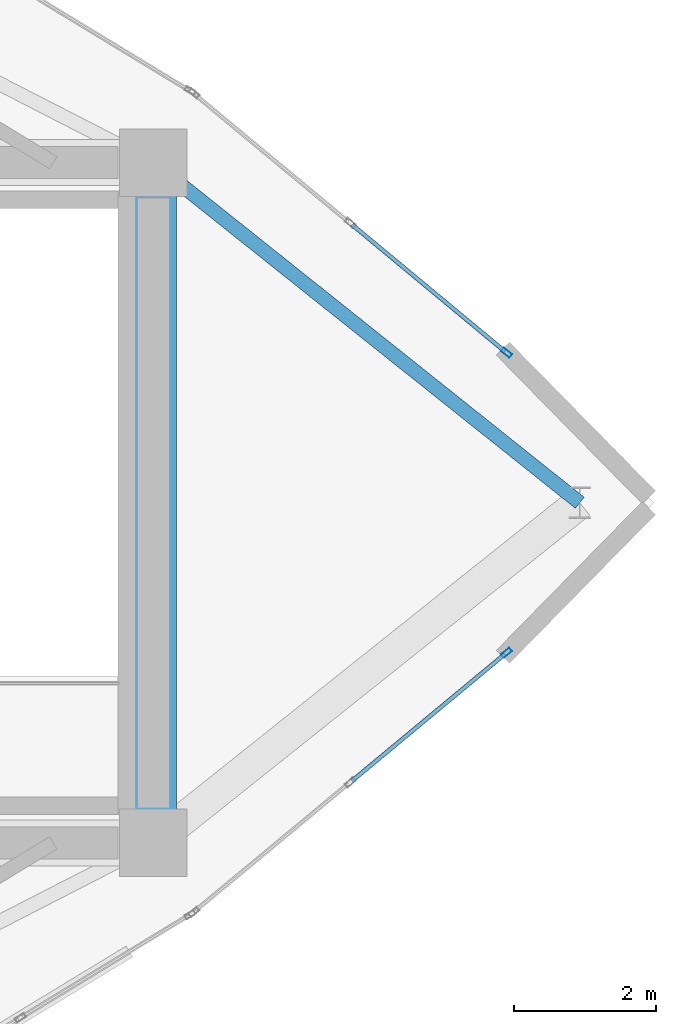
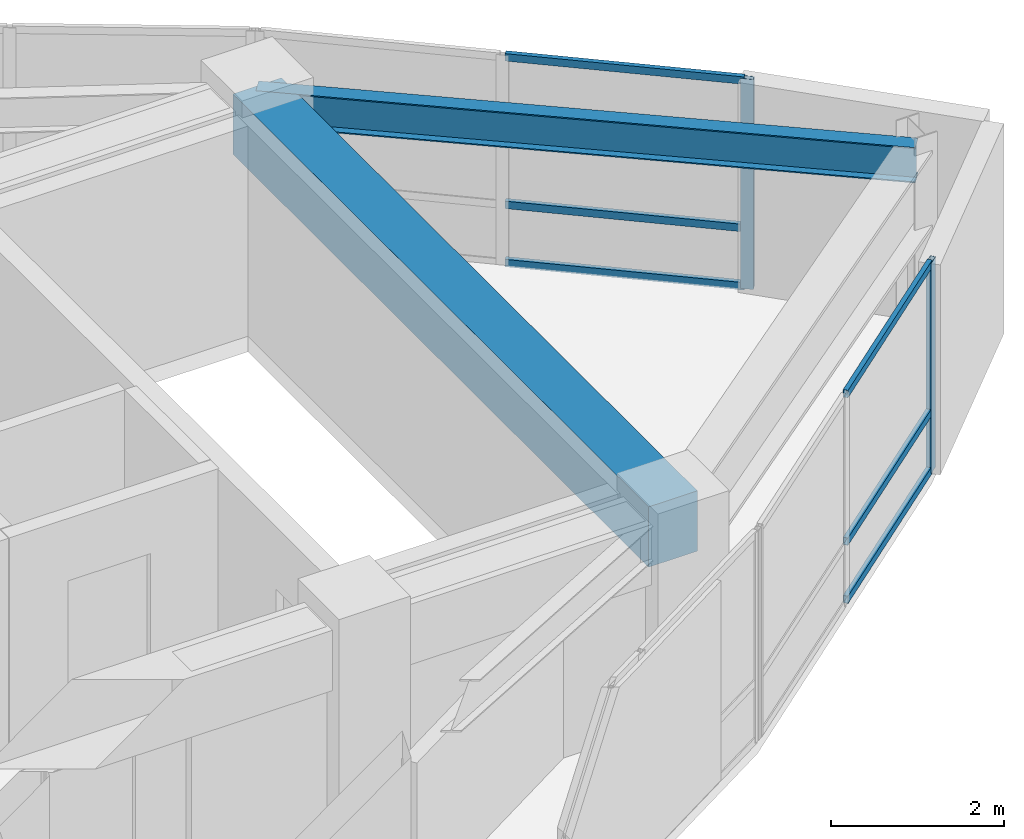
# One storey, part 6 of 13: 8 members, 2 beams, 2 elements without a shape of their own.
"""IFC4 building model written with IfcOpenShell, lengths in metres."""

from ifc_helpers import new_model, si_unit, direction, frame, origin, origin_2d, place, context, subcontext, project, spatial, rectangle, hollow_rectangle, i_section, extrude, material, layer, layer_set, material_profile, profile_set, type_object, element, aggregate, save


model = new_model("IFC4")

# Units and contexts
model_context = context("Model", 3, precision=1e-05, world=origin(), true_north=direction((0.0, 1.0)))
body_context = subcontext(model_context, "Body", "Model", "MODEL_VIEW")
ifc_project = project(units=[si_unit("LENGTHUNIT", "METRE"), si_unit("AREAUNIT", "SQUARE_METRE"), si_unit("VOLUMEUNIT", "CUBIC_METRE"), si_unit("PLANEANGLEUNIT", "RADIAN"), si_unit("MASSUNIT", "GRAM", prefix="KILO")], contexts=[model_context])

# Site, building, storey
site_placement = place(None, origin())
site = spatial("IfcSite", under=ifc_project, at=site_placement, CompositionType="ELEMENT")
building_placement = place(site_placement, origin())
building = spatial("IfcBuilding", under=site, at=building_placement, Name="Menara Vayukalpa", CompositionType="ELEMENT")
storey_placement = place(building_placement, frame((0.0, 0.0, 315.219970703125)))
storey = spatial("IfcBuildingStorey", under=building, at=storey_placement, Name="L81", CompositionType="ELEMENT", Elevation=315.219970703125)

# Beams
ifc_material_1 = material(Name="Concrete C60/75", Category="concrete")
ifc_material_profile_1 = material_profile(ifc_material_1, rectangle(XDim=0.64990234375, YDim=0.85009765625, at=origin_2d()), Name="RC 650x850")
ifc_profile_set_1 = profile_set([ifc_material_profile_1], Name="Concrete C60/75")
beam_type_1 = type_object("IfcBeamType", Name="BM-CB1", PredefinedType="BEAM", material=ifc_profile_set_1)
beam_1_placement = place(storey_placement, frame((33.39990234375, 17.199951171875, 2.534912109375), z_axis=(0.0, 1.0, 0.0), x_axis=(-1.0, 0.0, 0.0)))
element("IfcBeam", 1, at=beam_1_placement, inside=storey, type_object=beam_type_1, Name="L81 Core Tie Beam CBR8", PredefinedType="BEAM", context=body_context, shape_type="SweptSolid", body=[
    extrude(rectangle(XDim=0.64990234375, YDim=0.85009765625, at=origin_2d()), origin(), (0.0, 0.0, 1.0), 9.60009765625),
])
ifc_material_2 = material(Name="Steel S355", Category="steel")
ifc_material_profile_2 = material_profile(ifc_material_2, i_section(OverallWidth=0.199951171875, OverallDepth=0.5, WebThickness=0.010009765625, FlangeThickness=0.01611328125, at=origin_2d()), Name="WF 500x200x10x16")
ifc_profile_set_2 = profile_set([ifc_material_profile_2], Name="Steel S355")
beam_type_2 = type_object("IfcBeamType", Name="BM-SP3", PredefinedType="SPANDREL", material=ifc_profile_set_2)
beam_2_placement = place(storey_placement, frame((39.4189453125, 22.0, 2.7099609375), z_axis=(-0.781830074652, 0.6234915672, 0.0), x_axis=(-0.6234915672, -0.781830074652, 0.0)))
element("IfcBeam", 2, at=beam_2_placement, inside=storey, type_object=beam_type_2, Name="L81 Perimeter Spandrel Beam SP01", PredefinedType="SPANDREL", context=body_context, shape_type="SweptSolid", body=[
    extrude(i_section(OverallWidth=0.199951171875, OverallDepth=0.5, WebThickness=0.010009765625, FlangeThickness=0.01611328125, at=origin_2d()), origin(), (0.0, 0.0, 1.0), 7.69873046875),
])

# Curtain wall, member
ifc_material_3 = material(Name="Anodised Terracotta Aluminium Alloy 6063-T6", Category="masonry")
ifc_layer = layer(ifc_material_3, 0.14990234375)
ifc_layer_set = layer_set([ifc_layer], Name="Anodised Terracotta Aluminium Alloy 6063-T6")
curtain_wall_type = type_object("IfcCurtainWallType", Name="CW-CW7", PredefinedType="USERDEFINED", material=ifc_layer_set)
curtain_wall_1_placement = place(storey_placement, origin())
curtain_wall_1 = element("IfcCurtainWall", 3, at=curtain_wall_1_placement, inside=storey, type_object=curtain_wall_type, Name="L81 Crown Drum Screened Curtain Wall CW7 03", ObjectType="UNITISED", PredefinedType="USERDEFINED")
ifc_material_4 = material(Name="Anodised Terracotta Aluminium Alloy 6063-T6", Category="masonry")
ifc_material_profile_3 = material_profile(ifc_material_4, hollow_rectangle(XDim=0.06494140625, YDim=0.14990234375, WallThickness=0.00341796875, at=origin_2d()), Name="ALU 65x150x3.5")
ifc_profile_set_3 = profile_set([ifc_material_profile_3], Name="Anodised Terracotta Aluminium Alloy 6063-T6")
member_type_1 = type_object("IfcMemberType", Name="CWM-CW7", PredefinedType="MULLION", material=ifc_profile_set_3)
member_1_placement = place(storey_placement, frame((38.3857421875, 24.1171875, 0.0), z_axis=(0.0, 0.0, 1.0), x_axis=(-0.63834658997, -0.7697490702, 0.0)))
member_1 = element("IfcMember", 4, at=member_1_placement, type_object=member_type_1, Name="CW7 mullion 1", PredefinedType="MULLION", context=body_context, shape_type="SweptSolid", body=[
    extrude(hollow_rectangle(XDim=0.06494140625, YDim=0.14990234375, WallThickness=0.00341796875, at=origin_2d()), origin(), (0.0, 0.0, 1.0), 2.9599609375),
])

curtain_wall_2_placement = place(storey_placement, origin())
curtain_wall_2 = element("IfcCurtainWall", 5, at=curtain_wall_2_placement, inside=storey, type_object=curtain_wall_type, Name="L81 Crown Drum Screened Curtain Wall CW7 18", ObjectType="UNITISED", PredefinedType="USERDEFINED")
member_2_placement = place(storey_placement, frame((38.3857421875, 19.8828125, 0.0), z_axis=(0.0, 0.0, 1.0), x_axis=(-0.63834658997, 0.7697490702, 0.0)))
member_2 = element("IfcMember", 6, at=member_2_placement, type_object=member_type_1, Name="CW7 mullion 3", PredefinedType="MULLION", context=body_context, shape_type="SweptSolid", body=[
    extrude(hollow_rectangle(XDim=0.06494140625, YDim=0.14990234375, WallThickness=0.00341796875, at=origin_2d()), origin(), (0.0, 0.0, 1.0), 2.9599609375),
])

# Member
ifc_material_5 = material(Name="Anodised Terracotta Aluminium Alloy 6063-T6", Category="masonry")
ifc_material_profile_4 = material_profile(ifc_material_5, hollow_rectangle(XDim=0.06005859375, YDim=0.10498046875, WallThickness=0.0029296875, at=origin_2d()), Name="ALU 60x105x3")
ifc_profile_set_4 = profile_set([ifc_material_profile_4], Name="Anodised Terracotta Aluminium Alloy 6063-T6")
member_type_2 = type_object("IfcMemberType", Name="CWT-CW7", PredefinedType="USERDEFINED", material=ifc_profile_set_4)
member_3_placement = place(storey_placement, frame((38.360595703125, 24.137939453125, 0.030029296875), z_axis=(-0.769691097873, 0.638416489335, 0.0), x_axis=(-0.638416489335, -0.769691097873, 0.0)))
member_3 = element("IfcMember", 7, at=member_3_placement, type_object=member_type_2, Name="CW7 transom 1.1", ObjectType="TRANSOM", PredefinedType="USERDEFINED", context=body_context, shape_type="SweptSolid", body=[
    extrude(hollow_rectangle(XDim=0.06005859375, YDim=0.10498046875, WallThickness=0.0029296875, at=origin_2d()), origin(), (0.0, 0.0, 1.0), 2.80078125),
])

member_4_placement = place(storey_placement, frame((38.360595703125, 24.137939453125, 0.85009765625), z_axis=(-0.769691097873, 0.638416489335, 0.0), x_axis=(-0.638416489335, -0.769691097873, 0.0)))
member_4 = element("IfcMember", 8, at=member_4_placement, type_object=member_type_2, Name="CW7 transom 1.2", ObjectType="TRANSOM", PredefinedType="USERDEFINED", context=body_context, shape_type="SweptSolid", body=[
    extrude(hollow_rectangle(XDim=0.06005859375, YDim=0.10498046875, WallThickness=0.0029296875, at=origin_2d()), origin(), (0.0, 0.0, 1.0), 2.80078125),
])

member_5_placement = place(storey_placement, frame((38.360595703125, 24.137939453125, 2.929931640625), z_axis=(-0.769691097873, 0.638416489335, 0.0), x_axis=(-0.638416489335, -0.769691097873, 0.0)))
member_5 = element("IfcMember", 9, at=member_5_placement, type_object=member_type_2, Name="CW7 transom 1.3", ObjectType="TRANSOM", PredefinedType="USERDEFINED", context=body_context, shape_type="SweptSolid", body=[
    extrude(hollow_rectangle(XDim=0.06005859375, YDim=0.10498046875, WallThickness=0.0029296875, at=origin_2d()), origin(), (0.0, 0.0, 1.0), 2.80078125),
])

aggregate(curtain_wall_1, [member_1, member_3, member_4, member_5])

member_6_placement = place(storey_placement, frame((36.204833984375, 18.073974609375, 0.030029296875), z_axis=(0.769691097873, 0.638416489335, 0.0), x_axis=(-0.638416489335, 0.769691097873, 0.0)))
member_6 = element("IfcMember", 10, at=member_6_placement, type_object=member_type_2, Name="CW7 transom 2.1", ObjectType="TRANSOM", PredefinedType="USERDEFINED", context=body_context, shape_type="SweptSolid", body=[
    extrude(hollow_rectangle(XDim=0.06005859375, YDim=0.10498046875, WallThickness=0.0029296875, at=origin_2d()), origin(), (0.0, 0.0, 1.0), 2.80078125),
])

member_7_placement = place(storey_placement, frame((36.204833984375, 18.073974609375, 0.85009765625), z_axis=(0.769691097873, 0.638416489335, 0.0), x_axis=(-0.638416489335, 0.769691097873, 0.0)))
member_7 = element("IfcMember", 11, at=member_7_placement, type_object=member_type_2, Name="CW7 transom 2.2", ObjectType="TRANSOM", PredefinedType="USERDEFINED", context=body_context, shape_type="SweptSolid", body=[
    extrude(hollow_rectangle(XDim=0.06005859375, YDim=0.10498046875, WallThickness=0.0029296875, at=origin_2d()), origin(), (0.0, 0.0, 1.0), 2.80078125),
])

member_8_placement = place(storey_placement, frame((36.204833984375, 18.073974609375, 2.929931640625), z_axis=(0.769691097873, 0.638416489335, 0.0), x_axis=(-0.638416489335, 0.769691097873, 0.0)))
member_8 = element("IfcMember", 12, at=member_8_placement, type_object=member_type_2, Name="CW7 transom 2.3", ObjectType="TRANSOM", PredefinedType="USERDEFINED", context=body_context, shape_type="SweptSolid", body=[
    extrude(hollow_rectangle(XDim=0.06005859375, YDim=0.10498046875, WallThickness=0.0029296875, at=origin_2d()), origin(), (0.0, 0.0, 1.0), 2.80078125),
])

aggregate(curtain_wall_2, [member_2, member_6, member_7, member_8])

save(model, "model.ifc")
